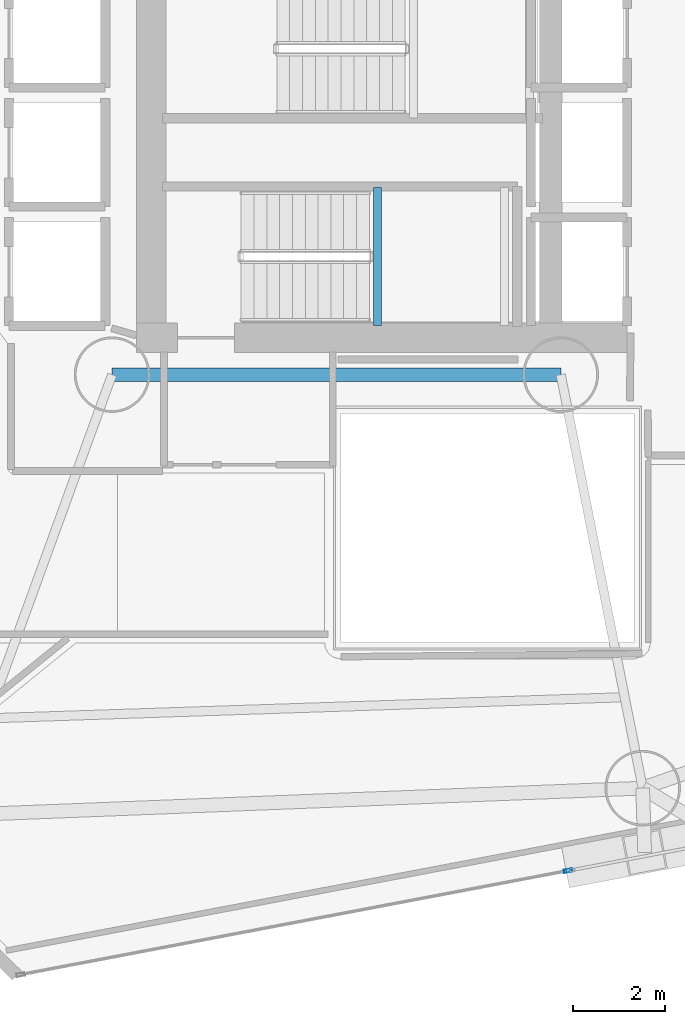
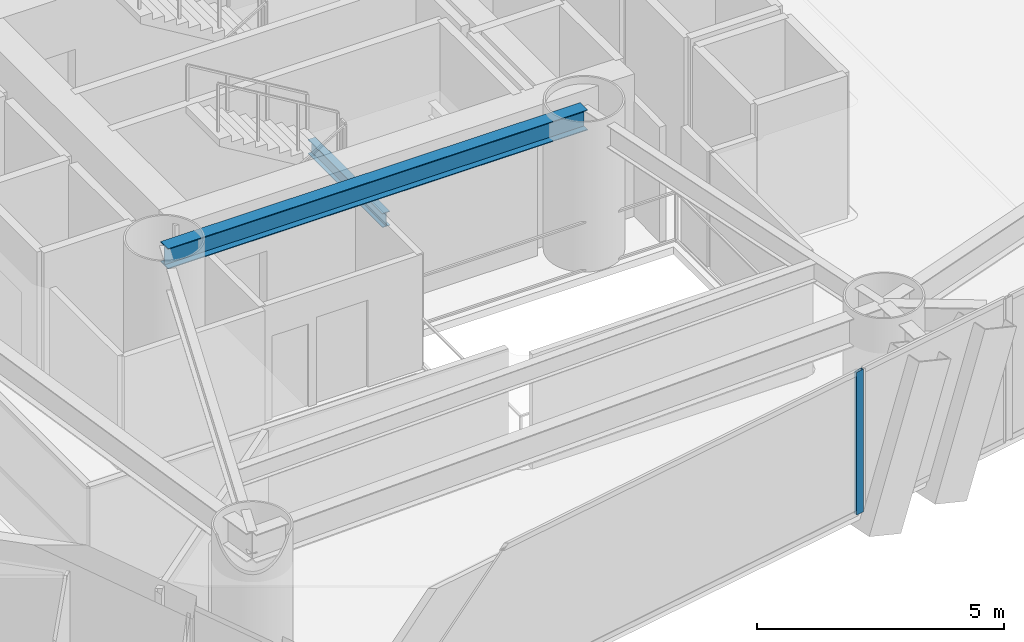
# One storey, part 4 of 23: 2 beams, 1 member, 1 element without a shape of its own.
"""IFC4 building model written with IfcOpenShell, lengths in metres."""

from ifc_helpers import new_model, si_unit, direction, frame, origin, origin_2d, place, context, subcontext, project, spatial, hollow_rectangle, i_section, extrude, material, layer, layer_set, material_profile, profile_set, type_object, element, aggregate, save


model = new_model("IFC4")

# Units and contexts
model_context = context("Model", 3, precision=1e-05, world=origin(), true_north=direction((0.0, 1.0)))
body_context = subcontext(model_context, "Body", "Model", "MODEL_VIEW")
ifc_project = project(units=[si_unit("LENGTHUNIT", "METRE"), si_unit("AREAUNIT", "SQUARE_METRE"), si_unit("VOLUMEUNIT", "CUBIC_METRE"), si_unit("PLANEANGLEUNIT", "RADIAN"), si_unit("MASSUNIT", "GRAM", prefix="KILO")], contexts=[model_context])

# Site, building, storey
site_placement = place(None, origin())
site = spatial("IfcSite", under=ifc_project, at=site_placement, CompositionType="ELEMENT")
building_placement = place(site_placement, origin())
building = spatial("IfcBuilding", under=site, at=building_placement, Name="Qianvela Tower", CompositionType="ELEMENT")
storey_placement = place(building_placement, frame((0.0, 0.0, 85.800048828125)))
storey = spatial("IfcBuildingStorey", under=building, at=storey_placement, Name="L21", CompositionType="ELEMENT", Elevation=85.800048828125)

# Beams
ifc_material_1 = material(Name="Steel Q355B", Category="steel")
ifc_material_profile_1 = material_profile(ifc_material_1, i_section(OverallWidth=0.300048828125, OverallDepth=0.5, WebThickness=0.010986328125, FlangeThickness=0.01806640625, at=origin_2d()), Name="HM500x300x11x18")
ifc_profile_set_1 = profile_set([ifc_material_profile_1], Name="Steel Q355B")
beam_type_1 = type_object("IfcBeamType", Name="BM-HM500-COLL", PredefinedType="BEAM", material=ifc_profile_set_1)
beam_1_placement = place(storey_placement, frame((28.60009765625, 23.85009765625, 3.26806640625), z_axis=(1.0, 0.0, 0.0), x_axis=(0.0, 1.0, 0.0)))
element("IfcBeam", 1, at=beam_1_placement, inside=storey, type_object=beam_type_1, Name="L21 Core Ring Collector Girder CC1", PredefinedType="BEAM", context=body_context, shape_type="SweptSolid", body=[
    extrude(i_section(OverallWidth=0.300048828125, OverallDepth=0.5, WebThickness=0.010986328125, FlangeThickness=0.01806640625, at=origin_2d()), origin(), (0.0, 0.0, 1.0), 9.7998046875),
])
ifc_material_2 = material(Name="Steel Q355B", Category="steel")
ifc_material_profile_2 = material_profile(ifc_material_2, i_section(OverallWidth=0.175048828125, OverallDepth=0.35009765625, WebThickness=0.007080078125, FlangeThickness=0.010986328125, at=origin_2d()), Name="HN350x175x7x11")
ifc_profile_set_2 = profile_set([ifc_material_profile_2], Name="Steel Q355B")
beam_type_2 = type_object("IfcBeamType", Name="BM-HN350-JOIST", PredefinedType="JOIST", material=ifc_profile_set_2)
beam_2_placement = place(storey_placement, frame((34.39990234375, 24.919921875, 1.474853515625), z_axis=(0.0, 1.0, 0.0), x_axis=(-1.0, 0.0, 0.0)))
element("IfcBeam", 2, at=beam_2_placement, inside=storey, type_object=beam_type_2, Name="L21 Stair ST-2 Landing Support Beam 1.1", PredefinedType="JOIST", context=body_context, shape_type="SweptSolid", body=[
    extrude(i_section(OverallWidth=0.175048828125, OverallDepth=0.35009765625, WebThickness=0.007080078125, FlangeThickness=0.010986328125, at=origin_2d()), origin(), (0.0, 0.0, 1.0), 3.02001953125),
])

# Curtain wall, member
ifc_material_3 = material(Name="Anodised Architectural Aluminium and Low-E Glass", Category="aluminium")
ifc_layer = layer(ifc_material_3, 0.179931640625)
ifc_layer_set = layer_set([ifc_layer], Name="Anodised Architectural Aluminium and Low-E Glass")
curtain_wall_type = type_object("IfcCurtainWallType", Name="CW-COLIV-Z12", PredefinedType="USERDEFINED", material=ifc_layer_set)
curtain_wall_placement = place(storey_placement, origin())
curtain_wall = element("IfcCurtainWall", 3, at=curtain_wall_placement, inside=storey, type_object=curtain_wall_type, Name="L21 CW-COLIV-Z12 Curtain Wall 06A", ObjectType="CURTAIN_WALL_SYSTEM", PredefinedType="USERDEFINED")
ifc_material_4 = material(Name="Anodised Architectural Aluminium 6063-T6", Category="aluminium")
ifc_material_profile_3 = material_profile(ifc_material_4, hollow_rectangle(XDim=0.070068359375, YDim=0.179931640625, WallThickness=0.0048828125, at=origin_2d()), Name="ALU-MULL-70x180")
ifc_profile_set_3 = profile_set([ifc_material_profile_3], Name="Anodised Architectural Aluminium 6063-T6")
member_type = type_object("IfcMemberType", Name="CW-COLIV-Z12-MULL", PredefinedType="MULLION", material=ifc_profile_set_3)
member_placement = place(storey_placement, frame((38.56103515625, 13.014404296875, 0.0), z_axis=(0.0, 0.0, 1.0), x_axis=(-0.186576351738, 0.982440463831, 0.0)))
member = element("IfcMember", 4, at=member_placement, type_object=member_type, Name="CW-3 mullion 2", PredefinedType="MULLION", context=body_context, shape_type="SweptSolid", body=[
    extrude(hollow_rectangle(XDim=0.070068359375, YDim=0.179931640625, WallThickness=0.0048828125, at=origin_2d()), origin(), (0.0, 0.0, 1.0), 3.52001953125),
])
aggregate(curtain_wall, [member])

save(model, "model.ifc")
